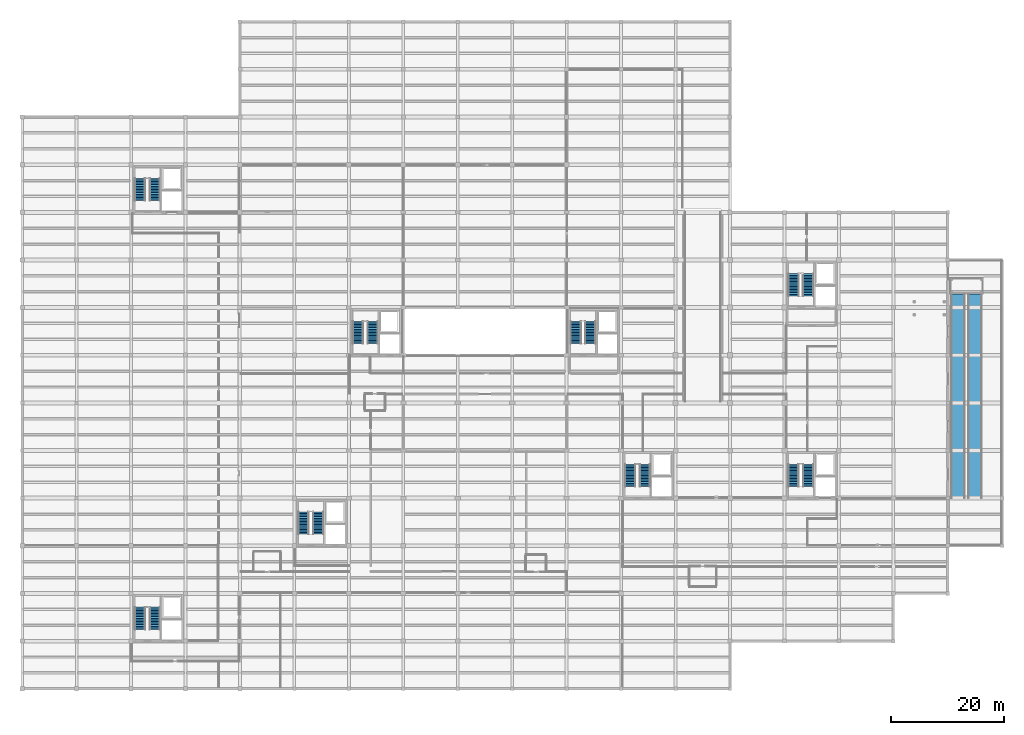
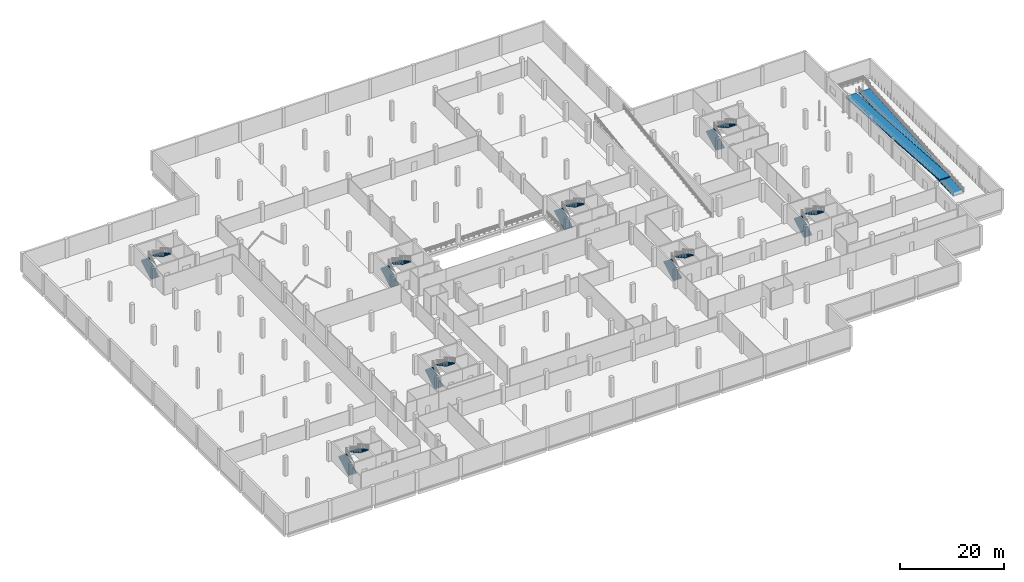
# One storey, part 25 of 30: 16 stair flights, 2 ramp flights, 10 elements without a shape of their own.
"""IFC4 building model written with IfcOpenShell, lengths in metres."""

from ifc_helpers import new_model, si_unit, direction, frame, origin, place, context, subcontext, project, spatial, polyline, outline, extrude, material, layer, layer_set, type_object, element, aggregate, save


model = new_model("IFC4")

# Units and contexts
model_context = context("Model", 3, precision=1e-05, world=origin(), true_north=direction((0.0, 1.0)))
body_context = subcontext(model_context, "Body", "Model", "MODEL_VIEW")
ifc_project = project(units=[si_unit("LENGTHUNIT", "METRE"), si_unit("AREAUNIT", "SQUARE_METRE"), si_unit("VOLUMEUNIT", "CUBIC_METRE"), si_unit("PLANEANGLEUNIT", "RADIAN"), si_unit("MASSUNIT", "GRAM", prefix="KILO")], contexts=[model_context])

# Site, building, storey
site_placement = place(None, origin())
site = spatial("IfcSite", under=ifc_project, at=site_placement, CompositionType="ELEMENT")
building_placement = place(site_placement, origin())
building = spatial("IfcBuilding", under=site, at=building_placement, Name="Lornevale Opera House", CompositionType="ELEMENT")
storey_placement = place(building_placement, frame((0.0, 0.0, -4.800048828125)))
storey = spatial("IfcBuildingStorey", under=building, at=storey_placement, Name="B1", CompositionType="ELEMENT", Elevation=-4.800048828125)

# Stair, stair flights
ifc_material_1 = material(Name="Concrete 35 MPa (CSA A23.1 N)", Category="concrete")
ifc_layer_1 = layer(ifc_material_1, 4.800048828125)
ifc_layer_set_1 = layer_set([ifc_layer_1], Name="Concrete 35 MPa (CSA A23.1 N)")
stair_type_1 = type_object("IfcStairType", Name="Protected Exit Stair 4800-W1840", PredefinedType="TWO_STRAIGHT_RUN_STAIR", material=ifc_layer_set_1)
stair_1_placement = place(storey_placement, origin())
stair_1 = element("IfcStair", 1, at=stair_1_placement, inside=storey, type_object=stair_type_1, Name="South-West Foyer Core Stair ST-02 (B1-L01)", PredefinedType="TWO_STRAIGHT_RUN_STAIR")
ifc_layer_2 = layer(ifc_material_1, 0.199951171875)
ifc_layer_set_2 = layer_set([ifc_layer_2], Name="Concrete 35 MPa (CSA A23.1 N)")
stair_flight_type_1 = type_object("IfcStairFlightType", Name="Exit Stair Flight 15R-W1840", PredefinedType="STRAIGHT", material=ifc_layer_set_2)
stair_flight_1_placement = place(storey_placement, frame((49.60009765625, 27.260009765625, 0.0), z_axis=(0.0, 0.0, 1.0), x_axis=(0.0, 1.0, 0.0)))
stair_flight_1 = element("IfcStairFlight", 2, at=stair_flight_1_placement, type_object=stair_flight_type_1, Name="ST-02 Lower Flight SF-003", NumberOfRisers=15, NumberOfTreads=14, PredefinedType="STRAIGHT", RiserHeight=0.16, TreadLength=0.28, context=body_context, shape_type="SweptSolid", body=[
    extrude(outline(polyline([(0.0, 0.0), (0.0, 0.159912109375), (0.280029296875, 0.159912109375), (0.280029296875, 0.320068359375), (0.56005859375, 0.320068359375), (0.56005859375, 0.47998046875), (0.840087890625, 0.47998046875), (0.840087890625, 0.639892578125), (1.1201171875, 0.639892578125), (1.1201171875, 0.800048828125), (1.39990234375, 0.800048828125), (1.39990234375, 0.9599609375), (1.679931640625, 0.9599609375), (1.679931640625, 1.1201171875), (1.9599609375, 1.1201171875), (1.9599609375, 1.280029296875), (2.239990234375, 1.280029296875), (2.239990234375, 1.43994140625), (2.52001953125, 1.43994140625), (2.52001953125, 1.60009765625), (2.800048828125, 1.60009765625), (2.800048828125, 1.760009765625), (3.080078125, 1.760009765625), (3.080078125, 1.919921875), (3.360107421875, 1.919921875), (3.360107421875, 2.080078125), (3.639892578125, 2.080078125), (3.639892578125, 2.239990234375), (3.919921875, 2.239990234375), (3.919921875, 2.009765625), (0.403076171875, 0.0), (0.0, 0.0)])), frame((0.0, 0.919921875, 0.0), z_axis=(0.0, -1.0, 0.0), x_axis=(1.0, 0.0, 0.0)), (0.0, 0.0, 1.0), 1.840087890625),
])
stair_flight_2_placement = place(storey_placement, frame((52.199951171875, 31.179931640625, 2.400146484375), z_axis=(0.0, 0.0, 1.0), x_axis=(0.0, -1.0, 0.0)))
stair_flight_2 = element("IfcStairFlight", 3, at=stair_flight_2_placement, type_object=stair_flight_type_1, Name="ST-02 Upper Flight SF-004", NumberOfRisers=15, NumberOfTreads=14, PredefinedType="STRAIGHT", RiserHeight=0.16, TreadLength=0.28, context=body_context, shape_type="SweptSolid", body=[
    extrude(outline(polyline([(0.0, 0.0), (0.0, 0.159912109375), (0.280029296875, 0.159912109375), (0.280029296875, 0.320068359375), (0.56005859375, 0.320068359375), (0.56005859375, 0.47998046875), (0.840087890625, 0.47998046875), (0.840087890625, 0.639892578125), (1.1201171875, 0.639892578125), (1.1201171875, 0.800048828125), (1.39990234375, 0.800048828125), (1.39990234375, 0.9599609375), (1.679931640625, 0.9599609375), (1.679931640625, 1.1201171875), (1.9599609375, 1.1201171875), (1.9599609375, 1.280029296875), (2.239990234375, 1.280029296875), (2.239990234375, 1.43994140625), (2.52001953125, 1.43994140625), (2.52001953125, 1.60009765625), (2.800048828125, 1.60009765625), (2.800048828125, 1.760009765625), (3.080078125, 1.760009765625), (3.080078125, 1.919921875), (3.360107421875, 1.919921875), (3.360107421875, 2.080078125), (3.639892578125, 2.080078125), (3.639892578125, 2.239990234375), (3.919921875, 2.239990234375), (3.919921875, 2.009765625), (0.403076171875, 0.0), (0.0, 0.0)])), frame((0.0, 0.919921875, 0.0), z_axis=(0.0, -1.0, 0.0), x_axis=(1.0, 0.0, 0.0)), (0.0, 0.0, 1.0), 1.840087890625),
])
aggregate(stair_1, [stair_flight_1, stair_flight_2])

stair_2_placement = place(storey_placement, origin())
stair_2 = element("IfcStair", 4, at=stair_2_placement, inside=storey, type_object=stair_type_1, Name="South-East Foyer Core Stair ST-05 (B1-L01)", PredefinedType="TWO_STRAIGHT_RUN_STAIR")
stair_flight_3_placement = place(storey_placement, frame((107.199951171875, 35.659912109375, 0.0), z_axis=(0.0, 0.0, 1.0), x_axis=(0.0, 1.0, 0.0)))
stair_flight_3 = element("IfcStairFlight", 5, at=stair_flight_3_placement, type_object=stair_flight_type_1, Name="ST-05 Lower Flight SF-009", NumberOfRisers=15, NumberOfTreads=14, PredefinedType="STRAIGHT", RiserHeight=0.16, TreadLength=0.28, context=body_context, shape_type="SweptSolid", body=[
    extrude(outline(polyline([(0.0, 0.0), (0.0, 0.159912109375), (0.280029296875, 0.159912109375), (0.280029296875, 0.320068359375), (0.56005859375, 0.320068359375), (0.56005859375, 0.47998046875), (0.840087890625, 0.47998046875), (0.840087890625, 0.639892578125), (1.1201171875, 0.639892578125), (1.1201171875, 0.800048828125), (1.39990234375, 0.800048828125), (1.39990234375, 0.9599609375), (1.679931640625, 0.9599609375), (1.679931640625, 1.1201171875), (1.9599609375, 1.1201171875), (1.9599609375, 1.280029296875), (2.239990234375, 1.280029296875), (2.239990234375, 1.43994140625), (2.52001953125, 1.43994140625), (2.52001953125, 1.60009765625), (2.800048828125, 1.60009765625), (2.800048828125, 1.760009765625), (3.080078125, 1.760009765625), (3.080078125, 1.919921875), (3.360107421875, 1.919921875), (3.360107421875, 2.080078125), (3.639892578125, 2.080078125), (3.639892578125, 2.239990234375), (3.919921875, 2.239990234375), (3.919921875, 2.009765625), (0.403076171875, 0.0), (0.0, 0.0)])), frame((0.0, 0.919921875, 0.0), z_axis=(0.0, -1.0, 0.0), x_axis=(1.0, 0.0, 0.0)), (0.0, 0.0, 1.0), 1.840087890625),
])
stair_flight_4_placement = place(storey_placement, frame((109.800048828125, 39.580078125, 2.400146484375), z_axis=(0.0, 0.0, 1.0), x_axis=(0.0, -1.0, 0.0)))
stair_flight_4 = element("IfcStairFlight", 6, at=stair_flight_4_placement, type_object=stair_flight_type_1, Name="ST-05 Upper Flight SF-010", NumberOfRisers=15, NumberOfTreads=14, PredefinedType="STRAIGHT", RiserHeight=0.16, TreadLength=0.28, context=body_context, shape_type="SweptSolid", body=[
    extrude(outline(polyline([(0.0, 0.0), (0.0, 0.159912109375), (0.280029296875, 0.159912109375), (0.280029296875, 0.320068359375), (0.56005859375, 0.320068359375), (0.56005859375, 0.47998046875), (0.840087890625, 0.47998046875), (0.840087890625, 0.639892578125), (1.1201171875, 0.639892578125), (1.1201171875, 0.800048828125), (1.39990234375, 0.800048828125), (1.39990234375, 0.9599609375), (1.679931640625, 0.9599609375), (1.679931640625, 1.1201171875), (1.9599609375, 1.1201171875), (1.9599609375, 1.280029296875), (2.239990234375, 1.280029296875), (2.239990234375, 1.43994140625), (2.52001953125, 1.43994140625), (2.52001953125, 1.60009765625), (2.800048828125, 1.60009765625), (2.800048828125, 1.760009765625), (3.080078125, 1.760009765625), (3.080078125, 1.919921875), (3.360107421875, 1.919921875), (3.360107421875, 2.080078125), (3.639892578125, 2.080078125), (3.639892578125, 2.239990234375), (3.919921875, 2.239990234375), (3.919921875, 2.009765625), (0.403076171875, 0.0), (0.0, 0.0)])), frame((0.0, 0.919921875, 0.0), z_axis=(0.0, -1.0, 0.0), x_axis=(1.0, 0.0, 0.0)), (0.0, 0.0, 1.0), 1.840087890625),
])
aggregate(stair_2, [stair_flight_3, stair_flight_4])

stair_3_placement = place(storey_placement, origin())
stair_3 = element("IfcStair", 7, at=stair_3_placement, inside=storey, type_object=stair_type_1, Name="Chamber Pavilion Core Stair ST-09 (B1-L01)", PredefinedType="TWO_STRAIGHT_RUN_STAIR")
stair_flight_5_placement = place(storey_placement, frame((20.800048828125, 10.4599609375, 0.0), z_axis=(0.0, 0.0, 1.0), x_axis=(0.0, 1.0, 0.0)))
stair_flight_5 = element("IfcStairFlight", 8, at=stair_flight_5_placement, type_object=stair_flight_type_1, Name="ST-09 Lower Flight SF-017", NumberOfRisers=15, NumberOfTreads=14, PredefinedType="STRAIGHT", RiserHeight=0.16, TreadLength=0.28, context=body_context, shape_type="SweptSolid", body=[
    extrude(outline(polyline([(0.0, 0.0), (0.0, 0.159912109375), (0.280029296875, 0.159912109375), (0.280029296875, 0.320068359375), (0.56005859375, 0.320068359375), (0.56005859375, 0.47998046875), (0.840087890625, 0.47998046875), (0.840087890625, 0.639892578125), (1.1201171875, 0.639892578125), (1.1201171875, 0.800048828125), (1.39990234375, 0.800048828125), (1.39990234375, 0.9599609375), (1.679931640625, 0.9599609375), (1.679931640625, 1.1201171875), (1.9599609375, 1.1201171875), (1.9599609375, 1.280029296875), (2.239990234375, 1.280029296875), (2.239990234375, 1.43994140625), (2.52001953125, 1.43994140625), (2.52001953125, 1.60009765625), (2.800048828125, 1.60009765625), (2.800048828125, 1.760009765625), (3.080078125, 1.760009765625), (3.080078125, 1.919921875), (3.360107421875, 1.919921875), (3.360107421875, 2.080078125), (3.639892578125, 2.080078125), (3.639892578125, 2.239990234375), (3.919921875, 2.239990234375), (3.919921875, 2.009765625), (0.403076171875, 0.0), (0.0, 0.0)])), frame((0.0, 0.919921875, 0.0), z_axis=(0.0, -1.0, 0.0), x_axis=(1.0, 0.0, 0.0)), (0.0, 0.0, 1.0), 1.840087890625),
])
stair_flight_6_placement = place(storey_placement, frame((23.39990234375, 14.3798828125, 2.400146484375), z_axis=(0.0, 0.0, 1.0), x_axis=(0.0, -1.0, 0.0)))
stair_flight_6 = element("IfcStairFlight", 9, at=stair_flight_6_placement, type_object=stair_flight_type_1, Name="ST-09 Upper Flight SF-018", NumberOfRisers=15, NumberOfTreads=14, PredefinedType="STRAIGHT", RiserHeight=0.16, TreadLength=0.28, context=body_context, shape_type="SweptSolid", body=[
    extrude(outline(polyline([(0.0, 0.0), (0.0, 0.159912109375), (0.280029296875, 0.159912109375), (0.280029296875, 0.320068359375), (0.56005859375, 0.320068359375), (0.56005859375, 0.47998046875), (0.840087890625, 0.47998046875), (0.840087890625, 0.639892578125), (1.1201171875, 0.639892578125), (1.1201171875, 0.800048828125), (1.39990234375, 0.800048828125), (1.39990234375, 0.9599609375), (1.679931640625, 0.9599609375), (1.679931640625, 1.1201171875), (1.9599609375, 1.1201171875), (1.9599609375, 1.280029296875), (2.239990234375, 1.280029296875), (2.239990234375, 1.43994140625), (2.52001953125, 1.43994140625), (2.52001953125, 1.60009765625), (2.800048828125, 1.60009765625), (2.800048828125, 1.760009765625), (3.080078125, 1.760009765625), (3.080078125, 1.919921875), (3.360107421875, 1.919921875), (3.360107421875, 2.080078125), (3.639892578125, 2.080078125), (3.639892578125, 2.239990234375), (3.919921875, 2.239990234375), (3.919921875, 2.009765625), (0.403076171875, 0.0), (0.0, 0.0)])), frame((0.0, 0.919921875, 0.0), z_axis=(0.0, -1.0, 0.0), x_axis=(1.0, 0.0, 0.0)), (0.0, 0.0, 1.0), 1.840087890625),
])
aggregate(stair_3, [stair_flight_5, stair_flight_6])

stair_4_placement = place(storey_placement, origin())
stair_4 = element("IfcStair", 10, at=stair_4_placement, inside=storey, type_object=stair_type_1, Name="North-West Workshop Core Stair ST-12 (B1-L01)", PredefinedType="TWO_STRAIGHT_RUN_STAIR")
stair_flight_7_placement = place(storey_placement, frame((20.800048828125, 86.06005859375, 0.0), z_axis=(0.0, 0.0, 1.0), x_axis=(0.0, 1.0, 0.0)))
stair_flight_7 = element("IfcStairFlight", 11, at=stair_flight_7_placement, type_object=stair_flight_type_1, Name="ST-12 Lower Flight SF-023", NumberOfRisers=15, NumberOfTreads=14, PredefinedType="STRAIGHT", RiserHeight=0.16, TreadLength=0.28, context=body_context, shape_type="SweptSolid", body=[
    extrude(outline(polyline([(0.0, 0.0), (0.0, 0.159912109375), (0.280029296875, 0.159912109375), (0.280029296875, 0.320068359375), (0.56005859375, 0.320068359375), (0.56005859375, 0.47998046875), (0.840087890625, 0.47998046875), (0.840087890625, 0.639892578125), (1.1201171875, 0.639892578125), (1.1201171875, 0.800048828125), (1.39990234375, 0.800048828125), (1.39990234375, 0.9599609375), (1.679931640625, 0.9599609375), (1.679931640625, 1.1201171875), (1.9599609375, 1.1201171875), (1.9599609375, 1.280029296875), (2.239990234375, 1.280029296875), (2.239990234375, 1.43994140625), (2.52001953125, 1.43994140625), (2.52001953125, 1.60009765625), (2.800048828125, 1.60009765625), (2.800048828125, 1.760009765625), (3.080078125, 1.760009765625), (3.080078125, 1.919921875), (3.360107421875, 1.919921875), (3.360107421875, 2.080078125), (3.639892578125, 2.080078125), (3.639892578125, 2.239990234375), (3.919921875, 2.239990234375), (3.919921875, 2.009765625), (0.403076171875, 0.0), (0.0, 0.0)])), frame((0.0, 0.919921875, 0.0), z_axis=(0.0, -1.0, 0.0), x_axis=(1.0, 0.0, 0.0)), (0.0, 0.0, 1.0), 1.840087890625),
])
stair_flight_8_placement = place(storey_placement, frame((23.39990234375, 89.97998046875, 2.400146484375), z_axis=(0.0, 0.0, 1.0), x_axis=(0.0, -1.0, 0.0)))
stair_flight_8 = element("IfcStairFlight", 12, at=stair_flight_8_placement, type_object=stair_flight_type_1, Name="ST-12 Upper Flight SF-024", NumberOfRisers=15, NumberOfTreads=14, PredefinedType="STRAIGHT", RiserHeight=0.16, TreadLength=0.28, context=body_context, shape_type="SweptSolid", body=[
    extrude(outline(polyline([(0.0, 0.0), (0.0, 0.159912109375), (0.280029296875, 0.159912109375), (0.280029296875, 0.320068359375), (0.56005859375, 0.320068359375), (0.56005859375, 0.47998046875), (0.840087890625, 0.47998046875), (0.840087890625, 0.639892578125), (1.1201171875, 0.639892578125), (1.1201171875, 0.800048828125), (1.39990234375, 0.800048828125), (1.39990234375, 0.9599609375), (1.679931640625, 0.9599609375), (1.679931640625, 1.1201171875), (1.9599609375, 1.1201171875), (1.9599609375, 1.280029296875), (2.239990234375, 1.280029296875), (2.239990234375, 1.43994140625), (2.52001953125, 1.43994140625), (2.52001953125, 1.60009765625), (2.800048828125, 1.60009765625), (2.800048828125, 1.760009765625), (3.080078125, 1.760009765625), (3.080078125, 1.919921875), (3.360107421875, 1.919921875), (3.360107421875, 2.080078125), (3.639892578125, 2.080078125), (3.639892578125, 2.239990234375), (3.919921875, 2.239990234375), (3.919921875, 2.009765625), (0.403076171875, 0.0), (0.0, 0.0)])), frame((0.0, 0.919921875, 0.0), z_axis=(0.0, -1.0, 0.0), x_axis=(1.0, 0.0, 0.0)), (0.0, 0.0, 1.0), 1.840087890625),
])
aggregate(stair_4, [stair_flight_7, stair_flight_8])

stair_5_placement = place(storey_placement, origin())
stair_5 = element("IfcStair", 13, at=stair_5_placement, inside=storey, type_object=stair_type_1, Name="Auditorium West Tier Core Stair ST-15 (B1-L01)", PredefinedType="TWO_STRAIGHT_RUN_STAIR")
stair_flight_9_placement = place(storey_placement, frame((59.199951171875, 60.860107421875, 0.0), z_axis=(0.0, 0.0, 1.0), x_axis=(0.0, 1.0, 0.0)))
stair_flight_9 = element("IfcStairFlight", 14, at=stair_flight_9_placement, type_object=stair_flight_type_1, Name="ST-15 Lower Flight SF-029", NumberOfRisers=15, NumberOfTreads=14, PredefinedType="STRAIGHT", RiserHeight=0.16, TreadLength=0.28, context=body_context, shape_type="SweptSolid", body=[
    extrude(outline(polyline([(0.0, 0.0), (0.0, 0.159912109375), (0.280029296875, 0.159912109375), (0.280029296875, 0.320068359375), (0.56005859375, 0.320068359375), (0.56005859375, 0.47998046875), (0.840087890625, 0.47998046875), (0.840087890625, 0.639892578125), (1.1201171875, 0.639892578125), (1.1201171875, 0.800048828125), (1.39990234375, 0.800048828125), (1.39990234375, 0.9599609375), (1.679931640625, 0.9599609375), (1.679931640625, 1.1201171875), (1.9599609375, 1.1201171875), (1.9599609375, 1.280029296875), (2.239990234375, 1.280029296875), (2.239990234375, 1.43994140625), (2.52001953125, 1.43994140625), (2.52001953125, 1.60009765625), (2.800048828125, 1.60009765625), (2.800048828125, 1.760009765625), (3.080078125, 1.760009765625), (3.080078125, 1.919921875), (3.360107421875, 1.919921875), (3.360107421875, 2.080078125), (3.639892578125, 2.080078125), (3.639892578125, 2.239990234375), (3.919921875, 2.239990234375), (3.919921875, 2.009765625), (0.403076171875, 0.0), (0.0, 0.0)])), frame((0.0, 0.919921875, 0.0), z_axis=(0.0, -1.0, 0.0), x_axis=(1.0, 0.0, 0.0)), (0.0, 0.0, 1.0), 1.840087890625),
])
stair_flight_10_placement = place(storey_placement, frame((61.800048828125, 64.780029296875, 2.400146484375), z_axis=(0.0, 0.0, 1.0), x_axis=(0.0, -1.0, 0.0)))
stair_flight_10 = element("IfcStairFlight", 15, at=stair_flight_10_placement, type_object=stair_flight_type_1, Name="ST-15 Upper Flight SF-030", NumberOfRisers=15, NumberOfTreads=14, PredefinedType="STRAIGHT", RiserHeight=0.16, TreadLength=0.28, context=body_context, shape_type="SweptSolid", body=[
    extrude(outline(polyline([(0.0, 0.0), (0.0, 0.159912109375), (0.280029296875, 0.159912109375), (0.280029296875, 0.320068359375), (0.56005859375, 0.320068359375), (0.56005859375, 0.47998046875), (0.840087890625, 0.47998046875), (0.840087890625, 0.639892578125), (1.1201171875, 0.639892578125), (1.1201171875, 0.800048828125), (1.39990234375, 0.800048828125), (1.39990234375, 0.9599609375), (1.679931640625, 0.9599609375), (1.679931640625, 1.1201171875), (1.9599609375, 1.1201171875), (1.9599609375, 1.280029296875), (2.239990234375, 1.280029296875), (2.239990234375, 1.43994140625), (2.52001953125, 1.43994140625), (2.52001953125, 1.60009765625), (2.800048828125, 1.60009765625), (2.800048828125, 1.760009765625), (3.080078125, 1.760009765625), (3.080078125, 1.919921875), (3.360107421875, 1.919921875), (3.360107421875, 2.080078125), (3.639892578125, 2.080078125), (3.639892578125, 2.239990234375), (3.919921875, 2.239990234375), (3.919921875, 2.009765625), (0.403076171875, 0.0), (0.0, 0.0)])), frame((0.0, 0.919921875, 0.0), z_axis=(0.0, -1.0, 0.0), x_axis=(1.0, 0.0, 0.0)), (0.0, 0.0, 1.0), 1.840087890625),
])
aggregate(stair_5, [stair_flight_9, stair_flight_10])

stair_6_placement = place(storey_placement, origin())
stair_6 = element("IfcStair", 16, at=stair_6_placement, inside=storey, type_object=stair_type_1, Name="Backstage Service Lift Core Stair ST-36 (B1-L01)", PredefinedType="TWO_STRAIGHT_RUN_STAIR")
stair_flight_11_placement = place(storey_placement, frame((136.0, 35.659912109375, 0.0), z_axis=(0.0, 0.0, 1.0), x_axis=(0.0, 1.0, 0.0)))
stair_flight_11 = element("IfcStairFlight", 17, at=stair_flight_11_placement, type_object=stair_flight_type_1, Name="ST-36 Lower Flight SF-071", NumberOfRisers=15, NumberOfTreads=14, PredefinedType="STRAIGHT", RiserHeight=0.16, TreadLength=0.28, context=body_context, shape_type="SweptSolid", body=[
    extrude(outline(polyline([(0.0, 0.0), (0.0, 0.159912109375), (0.280029296875, 0.159912109375), (0.280029296875, 0.320068359375), (0.56005859375, 0.320068359375), (0.56005859375, 0.47998046875), (0.840087890625, 0.47998046875), (0.840087890625, 0.639892578125), (1.1201171875, 0.639892578125), (1.1201171875, 0.800048828125), (1.39990234375, 0.800048828125), (1.39990234375, 0.9599609375), (1.679931640625, 0.9599609375), (1.679931640625, 1.1201171875), (1.9599609375, 1.1201171875), (1.9599609375, 1.280029296875), (2.239990234375, 1.280029296875), (2.239990234375, 1.43994140625), (2.52001953125, 1.43994140625), (2.52001953125, 1.60009765625), (2.800048828125, 1.60009765625), (2.800048828125, 1.760009765625), (3.080078125, 1.760009765625), (3.080078125, 1.919921875), (3.360107421875, 1.919921875), (3.360107421875, 2.080078125), (3.639892578125, 2.080078125), (3.639892578125, 2.239990234375), (3.919921875, 2.239990234375), (3.919921875, 2.009765625), (0.403076171875, 0.0), (0.0, 0.0)])), frame((0.0, 0.919921875, 0.0), z_axis=(0.0, -1.0, 0.0), x_axis=(1.0, 0.0, 0.0)), (0.0, 0.0, 1.0), 1.840087890625),
])
stair_flight_12_placement = place(storey_placement, frame((138.60009765625, 39.580078125, 2.400146484375), z_axis=(0.0, 0.0, 1.0), x_axis=(0.0, -1.0, 0.0)))
stair_flight_12 = element("IfcStairFlight", 18, at=stair_flight_12_placement, type_object=stair_flight_type_1, Name="ST-36 Upper Flight SF-072", NumberOfRisers=15, NumberOfTreads=14, PredefinedType="STRAIGHT", RiserHeight=0.16, TreadLength=0.28, context=body_context, shape_type="SweptSolid", body=[
    extrude(outline(polyline([(0.0, 0.0), (0.0, 0.159912109375), (0.280029296875, 0.159912109375), (0.280029296875, 0.320068359375), (0.56005859375, 0.320068359375), (0.56005859375, 0.47998046875), (0.840087890625, 0.47998046875), (0.840087890625, 0.639892578125), (1.1201171875, 0.639892578125), (1.1201171875, 0.800048828125), (1.39990234375, 0.800048828125), (1.39990234375, 0.9599609375), (1.679931640625, 0.9599609375), (1.679931640625, 1.1201171875), (1.9599609375, 1.1201171875), (1.9599609375, 1.280029296875), (2.239990234375, 1.280029296875), (2.239990234375, 1.43994140625), (2.52001953125, 1.43994140625), (2.52001953125, 1.60009765625), (2.800048828125, 1.60009765625), (2.800048828125, 1.760009765625), (3.080078125, 1.760009765625), (3.080078125, 1.919921875), (3.360107421875, 1.919921875), (3.360107421875, 2.080078125), (3.639892578125, 2.080078125), (3.639892578125, 2.239990234375), (3.919921875, 2.239990234375), (3.919921875, 2.009765625), (0.403076171875, 0.0), (0.0, 0.0)])), frame((0.0, 0.919921875, 0.0), z_axis=(0.0, -1.0, 0.0), x_axis=(1.0, 0.0, 0.0)), (0.0, 0.0, 1.0), 1.840087890625),
])
aggregate(stair_6, [stair_flight_11, stair_flight_12])

ifc_layer_3 = layer(ifc_material_1, 4.800048828125)
ifc_layer_set_3 = layer_set([ifc_layer_3], Name="Concrete 35 MPa (CSA A23.1 N)")
stair_type_2 = type_object("IfcStairType", Name="Firefighter Core Stair 4800-W1880", PredefinedType="TWO_STRAIGHT_RUN_STAIR", material=ifc_layer_set_3)
stair_7_placement = place(storey_placement, origin())
stair_7 = element("IfcStair", 19, at=stair_7_placement, inside=storey, type_object=stair_type_2, Name="Stagehouse Firefighter Core West Stair ST-21 (B1-L01)", PredefinedType="TWO_STRAIGHT_RUN_STAIR")
ifc_layer_4 = layer(ifc_material_1, 0.219970703125)
ifc_layer_set_4 = layer_set([ifc_layer_4], Name="Concrete 35 MPa (CSA A23.1 N)")
stair_flight_type_2 = type_object("IfcStairFlightType", Name="Firefighter Flight 15R-W1880", PredefinedType="STRAIGHT", material=ifc_layer_set_4)
stair_flight_13_placement = place(storey_placement, frame((97.6201171875, 60.860107421875, 0.0), z_axis=(0.0, 0.0, 1.0), x_axis=(0.0, 1.0, 0.0)))
stair_flight_13 = element("IfcStairFlight", 20, at=stair_flight_13_placement, type_object=stair_flight_type_2, Name="ST-21 Lower Flight SF-041", NumberOfRisers=15, NumberOfTreads=14, PredefinedType="STRAIGHT", RiserHeight=0.16, TreadLength=0.28, context=body_context, shape_type="SweptSolid", body=[
    extrude(outline(polyline([(0.0, 0.0), (0.0, 0.159912109375), (0.280029296875, 0.159912109375), (0.280029296875, 0.320068359375), (0.56005859375, 0.320068359375), (0.56005859375, 0.47998046875), (0.840087890625, 0.47998046875), (0.840087890625, 0.639892578125), (1.1201171875, 0.639892578125), (1.1201171875, 0.800048828125), (1.39990234375, 0.800048828125), (1.39990234375, 0.9599609375), (1.679931640625, 0.9599609375), (1.679931640625, 1.1201171875), (1.9599609375, 1.1201171875), (1.9599609375, 1.280029296875), (2.239990234375, 1.280029296875), (2.239990234375, 1.43994140625), (2.52001953125, 1.43994140625), (2.52001953125, 1.60009765625), (2.800048828125, 1.60009765625), (2.800048828125, 1.760009765625), (3.080078125, 1.760009765625), (3.080078125, 1.919921875), (3.360107421875, 1.919921875), (3.360107421875, 2.080078125), (3.639892578125, 2.080078125), (3.639892578125, 2.239990234375), (3.919921875, 2.239990234375), (3.919921875, 1.986572265625), (0.443359375, 0.0), (0.0, 0.0)])), frame((0.0, 0.93994140625, 0.0), z_axis=(0.0, -1.0, 0.0), x_axis=(1.0, 0.0, 0.0)), (0.0, 0.0, 1.0), 1.8798828125),
])
stair_flight_14_placement = place(storey_placement, frame((100.179931640625, 64.780029296875, 2.400146484375), z_axis=(0.0, 0.0, 1.0), x_axis=(0.0, -1.0, 0.0)))
stair_flight_14 = element("IfcStairFlight", 21, at=stair_flight_14_placement, type_object=stair_flight_type_2, Name="ST-21 Upper Flight SF-042", NumberOfRisers=15, NumberOfTreads=14, PredefinedType="STRAIGHT", RiserHeight=0.16, TreadLength=0.28, context=body_context, shape_type="SweptSolid", body=[
    extrude(outline(polyline([(0.0, 0.0), (0.0, 0.159912109375), (0.280029296875, 0.159912109375), (0.280029296875, 0.320068359375), (0.56005859375, 0.320068359375), (0.56005859375, 0.47998046875), (0.840087890625, 0.47998046875), (0.840087890625, 0.639892578125), (1.1201171875, 0.639892578125), (1.1201171875, 0.800048828125), (1.39990234375, 0.800048828125), (1.39990234375, 0.9599609375), (1.679931640625, 0.9599609375), (1.679931640625, 1.1201171875), (1.9599609375, 1.1201171875), (1.9599609375, 1.280029296875), (2.239990234375, 1.280029296875), (2.239990234375, 1.43994140625), (2.52001953125, 1.43994140625), (2.52001953125, 1.60009765625), (2.800048828125, 1.60009765625), (2.800048828125, 1.760009765625), (3.080078125, 1.760009765625), (3.080078125, 1.919921875), (3.360107421875, 1.919921875), (3.360107421875, 2.080078125), (3.639892578125, 2.080078125), (3.639892578125, 2.239990234375), (3.919921875, 2.239990234375), (3.919921875, 1.986572265625), (0.443359375, 0.0), (0.0, 0.0)])), frame((0.0, 0.93994140625, 0.0), z_axis=(0.0, -1.0, 0.0), x_axis=(1.0, 0.0, 0.0)), (0.0, 0.0, 1.0), 1.8798828125),
])
aggregate(stair_7, [stair_flight_13, stair_flight_14])

stair_8_placement = place(storey_placement, origin())
stair_8 = element("IfcStair", 22, at=stair_8_placement, inside=storey, type_object=stair_type_2, Name="Backstage Firefighter Core East Stair ST-29 (B1-L01)", PredefinedType="TWO_STRAIGHT_RUN_STAIR")
stair_flight_15_placement = place(storey_placement, frame((136.02001953125, 69.260009765625, 0.0), z_axis=(0.0, 0.0, 1.0), x_axis=(0.0, 1.0, 0.0)))
stair_flight_15 = element("IfcStairFlight", 23, at=stair_flight_15_placement, type_object=stair_flight_type_2, Name="ST-29 Lower Flight SF-057", NumberOfRisers=15, NumberOfTreads=14, PredefinedType="STRAIGHT", RiserHeight=0.16, TreadLength=0.28, context=body_context, shape_type="SweptSolid", body=[
    extrude(outline(polyline([(0.0, 0.0), (0.0, 0.159912109375), (0.280029296875, 0.159912109375), (0.280029296875, 0.320068359375), (0.56005859375, 0.320068359375), (0.56005859375, 0.47998046875), (0.840087890625, 0.47998046875), (0.840087890625, 0.639892578125), (1.1201171875, 0.639892578125), (1.1201171875, 0.800048828125), (1.39990234375, 0.800048828125), (1.39990234375, 0.9599609375), (1.679931640625, 0.9599609375), (1.679931640625, 1.1201171875), (1.9599609375, 1.1201171875), (1.9599609375, 1.280029296875), (2.239990234375, 1.280029296875), (2.239990234375, 1.43994140625), (2.52001953125, 1.43994140625), (2.52001953125, 1.60009765625), (2.800048828125, 1.60009765625), (2.800048828125, 1.760009765625), (3.080078125, 1.760009765625), (3.080078125, 1.919921875), (3.360107421875, 1.919921875), (3.360107421875, 2.080078125), (3.639892578125, 2.080078125), (3.639892578125, 2.239990234375), (3.919921875, 2.239990234375), (3.919921875, 1.986572265625), (0.443359375, 0.0), (0.0, 0.0)])), frame((0.0, 0.93994140625, 0.0), z_axis=(0.0, -1.0, 0.0), x_axis=(1.0, 0.0, 0.0)), (0.0, 0.0, 1.0), 1.8798828125),
])
stair_flight_16_placement = place(storey_placement, frame((138.580078125, 73.179931640625, 2.400146484375), z_axis=(0.0, 0.0, 1.0), x_axis=(0.0, -1.0, 0.0)))
stair_flight_16 = element("IfcStairFlight", 24, at=stair_flight_16_placement, type_object=stair_flight_type_2, Name="ST-29 Upper Flight SF-058", NumberOfRisers=15, NumberOfTreads=14, PredefinedType="STRAIGHT", RiserHeight=0.16, TreadLength=0.28, context=body_context, shape_type="SweptSolid", body=[
    extrude(outline(polyline([(0.0, 0.0), (0.0, 0.159912109375), (0.280029296875, 0.159912109375), (0.280029296875, 0.320068359375), (0.56005859375, 0.320068359375), (0.56005859375, 0.47998046875), (0.840087890625, 0.47998046875), (0.840087890625, 0.639892578125), (1.1201171875, 0.639892578125), (1.1201171875, 0.800048828125), (1.39990234375, 0.800048828125), (1.39990234375, 0.9599609375), (1.679931640625, 0.9599609375), (1.679931640625, 1.1201171875), (1.9599609375, 1.1201171875), (1.9599609375, 1.280029296875), (2.239990234375, 1.280029296875), (2.239990234375, 1.43994140625), (2.52001953125, 1.43994140625), (2.52001953125, 1.60009765625), (2.800048828125, 1.60009765625), (2.800048828125, 1.760009765625), (3.080078125, 1.760009765625), (3.080078125, 1.919921875), (3.360107421875, 1.919921875), (3.360107421875, 2.080078125), (3.639892578125, 2.080078125), (3.639892578125, 2.239990234375), (3.919921875, 2.239990234375), (3.919921875, 1.986572265625), (0.443359375, 0.0), (0.0, 0.0)])), frame((0.0, 0.93994140625, 0.0), z_axis=(0.0, -1.0, 0.0), x_axis=(1.0, 0.0, 0.0)), (0.0, 0.0, 1.0), 1.8798828125),
])
aggregate(stair_8, [stair_flight_15, stair_flight_16])

# Ramp, ramp flight
ifc_material_2 = material(Name="Concrete 40 MPa (CSA A23.1 C-1)", Category="concrete")
ramp_type = type_object("IfcRampType", Name="Accessible Escarpment Promenade Ramp", PredefinedType="TWO_STRAIGHT_RUN_RAMP", material=ifc_material_2)
ramp_1_placement = place(storey_placement, origin())
ramp_1 = element("IfcRamp", 25, at=ramp_1_placement, inside=storey, type_object=ramp_type, Name="Escarpment Promenade Lower Flight", PredefinedType="TWO_STRAIGHT_RUN_RAMP")
ifc_layer_5 = layer(ifc_material_2, 0.239990234375)
ifc_layer_set_5 = layer_set([ifc_layer_5], Name="Concrete 40 MPa (CSA A23.1 C-1)")
ramp_flight_type = type_object("IfcRampFlightType", Name="Accessible Promenade Ramp Flight", PredefinedType="STRAIGHT", material=ifc_layer_set_5)
ramp_flight_1_placement = place(storey_placement, frame((168.0, 33.580078125, 0.0), z_axis=(0.0, 0.0, 1.0), x_axis=(0.0, 1.0, 0.0)))
ramp_flight_1 = element("IfcRampFlight", 26, at=ramp_flight_1_placement, type_object=ramp_flight_type, Name="Escarpment Promenade Lower Flight Flight", PredefinedType="STRAIGHT", context=body_context, shape_type="SweptSolid", body=[
    extrude(outline(polyline([(0.0, 0.0), (36.0400390625, 2.400146484375), (36.0400390625, 2.16015625), (0.0, -0.239990234375), (0.0, 0.0)])), frame((0.0, 1.199951171875, 0.0), z_axis=(0.0, -1.0, 0.0), x_axis=(1.0, 0.0, 0.0)), (0.0, 0.0, 1.0), 2.39990234375),
])
aggregate(ramp_1, [ramp_flight_1])

ramp_2_placement = place(storey_placement, origin())
ramp_2 = element("IfcRamp", 27, at=ramp_2_placement, inside=storey, type_object=ramp_type, Name="Escarpment Promenade Upper Flight", PredefinedType="TWO_STRAIGHT_RUN_RAMP")
ramp_flight_2_placement = place(storey_placement, frame((165.0, 69.6201171875, 2.400146484375), z_axis=(0.0, 0.0, 1.0), x_axis=(0.0, -1.0, 0.0)))
ramp_flight_2 = element("IfcRampFlight", 28, at=ramp_flight_2_placement, type_object=ramp_flight_type, Name="Escarpment Promenade Upper Flight Flight", PredefinedType="STRAIGHT", context=body_context, shape_type="SweptSolid", body=[
    extrude(outline(polyline([(0.0, 0.0), (36.0400390625, 2.39990234375), (36.0400390625, 2.159912109375), (0.0, -0.239990234375), (0.0, 0.0)])), frame((0.0, 1.199951171875, 0.0), z_axis=(0.0, -1.0, 0.0), x_axis=(1.0, 0.0, 0.0)), (0.0, 0.0, 1.0), 2.39990234375),
])
aggregate(ramp_2, [ramp_flight_2])

save(model, "model.ifc")
